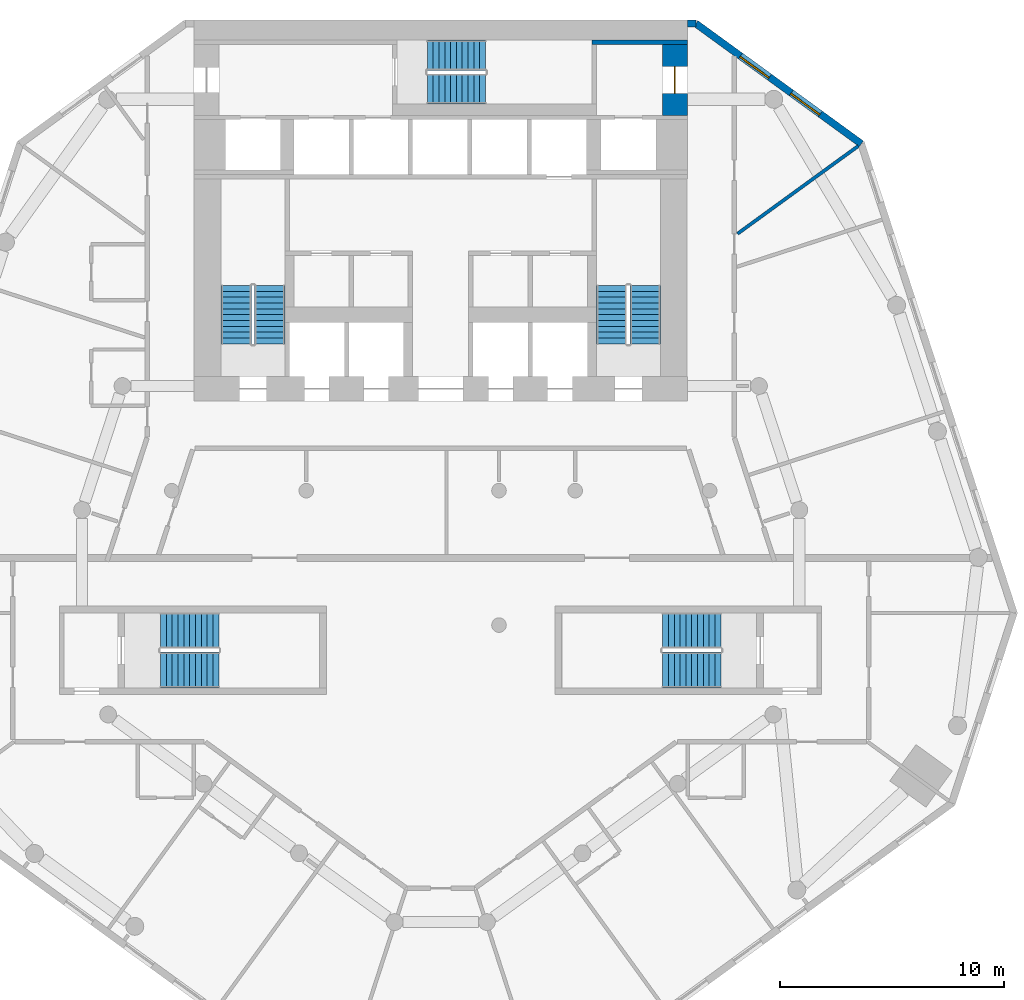
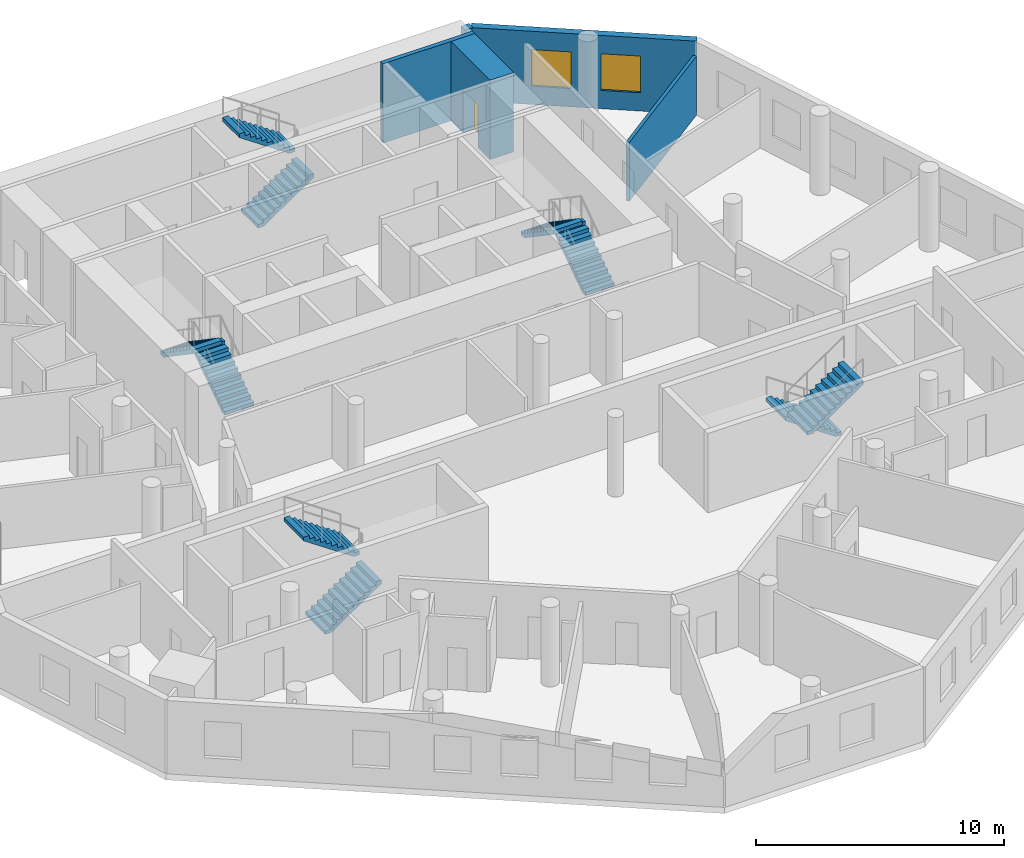
# One storey, part 7 of 9: 10 stair flights, 5 walls, 2 windows, 1 door, 3 openings, 5 elements without a shape of their own.
"""IFC4 building model written with IfcOpenShell, lengths in metres."""

from ifc_helpers import new_model, si_unit, direction, frame, frame_2d, origin, place, context, subcontext, project, spatial, polyline, rectangle, outline, extrude, material, layer, layer_set, type_object, element, fill, aggregate, save


model = new_model("IFC4")

# Units and contexts
model_context = context("Model", 3, precision=1e-05, world=origin(), true_north=direction((0.0, 1.0)))
body_context = subcontext(model_context, "Body", "Model", "MODEL_VIEW")
ifc_project = project(units=[si_unit("LENGTHUNIT", "METRE"), si_unit("AREAUNIT", "SQUARE_METRE"), si_unit("VOLUMEUNIT", "CUBIC_METRE"), si_unit("PLANEANGLEUNIT", "RADIAN"), si_unit("MASSUNIT", "GRAM", prefix="KILO")], contexts=[model_context])

# Site, building, storey
site_placement = place(None, origin())
site = spatial("IfcSite", under=ifc_project, at=site_placement, CompositionType="ELEMENT")
building_placement = place(site_placement, origin())
building = spatial("IfcBuilding", under=site, at=building_placement, Name="White Candle Pilgrim Tower", CompositionType="ELEMENT")
storey_placement = place(building_placement, frame((0.0, 0.0, 122.0)))
storey = spatial("IfcBuildingStorey", under=building, at=storey_placement, Name="L27", CompositionType="ELEMENT", Elevation=122.0)

# Wall, opening, door
ifc_material_1 = material(Name="Concrete C60/75", Category="concrete")
ifc_layer_1 = layer(ifc_material_1, 1.10009765625)
ifc_layer_set_1 = layer_set([ifc_layer_1], Name="Core wall 1100 mm Concrete C60/75")
wall_type_1 = type_object("IfcWallType", Name="Core wall 1100 mm Concrete C60/75", PredefinedType="SHEAR", material=ifc_layer_set_1)
wall_1_placement = place(storey_placement, frame((80.449951171875, 83.75, 0.0), z_axis=(0.0, 0.0, 1.0), x_axis=(0.0, 1.0, 0.0)))
wall_1 = element("IfcWall", 1, at=wall_1_placement, inside=storey, type_object=wall_type_1, Name="WL-L27-C46", PredefinedType="SHEAR", context=body_context, shape_type="SweptSolid", body=[
    extrude(rectangle(XDim=3.14990234375, YDim=1.10009765625, at=frame_2d((1.574951171875, 0.0))), origin(), (0.0, 0.0, 1.0), 3.89990234375),
])
opening_1_placement = place(wall_1_placement, frame((0.97509765625, 0.0, 0.0)))
opening_1 = element("IfcOpeningElement", 2, at=opening_1_placement, cuts=wall_1, Name="Opening T08-006", PredefinedType="OPENING", context=body_context, shape_type="SweptSolid", body=[
    extrude(rectangle(XDim=1.199951171875, YDim=2.10009765625, at=frame_2d((0.60009765625, 1.050048828125))), frame((0.0, 0.56005859375, 0.0), z_axis=(0.0, -1.0, 0.0), x_axis=(1.0, 0.0, 0.0)), (0.0, 0.0, 1.0), 1.1201171875),
])
ifc_material_2 = material(Name="Steel door leaf", Category="steel")
door_type = type_object("IfcDoorType", Name="Fire door 1200 x 2100 EI 30", OperationType="NOTDEFINED", PredefinedType="DOOR", material=ifc_material_2)
door_placement = place(opening_1_placement, origin())
door = element("IfcDoor", 3, at=door_placement, inside=storey, type_object=door_type, Name="Door T08-006", OperationType="SINGLE_SWING_RIGHT", OverallHeight=2.10009765625, OverallWidth=1.199951171875, PredefinedType="DOOR", context=body_context, shape_type="SweptSolid", body=[
    extrude(rectangle(XDim=1.199951171875, YDim=2.10009765625, at=frame_2d((0.60009765625, 1.050048828125))), frame((0.0, 0.02490234375, 0.0), z_axis=(0.0, -1.0, 0.0), x_axis=(1.0, 0.0, 0.0)), (0.0, 0.0, 1.0), 0.050048828125),
])
fill(opening_1, door)

# Wall, openings, windows
ifc_material_3 = material(Name="Precast concrete C40/50", Category="concrete")
ifc_layer_2 = layer(ifc_material_3, 0.320068359375)
ifc_layer_set_2 = layer_set([ifc_layer_2], Name="Facade wall EW1 precast concrete C40/50 pier wall with timber-lined reveals")
wall_type_2 = type_object("IfcWallType", Name="Facade wall EW1 precast concrete C40/50 pier wall with timber-lined reveals", PredefinedType="SOLIDWALL", material=ifc_layer_set_2)
wall_2_placement = place(storey_placement, frame((88.766845703125, 82.476806640625, 0.0), z_axis=(0.0, 0.0, 1.0), x_axis=(-0.809013684675, 0.587789807677, 0.0)))
wall_2 = element("IfcWall", 4, at=wall_2_placement, inside=storey, type_object=wall_type_2, Name="Facade wall L27 NE chamfer", PredefinedType="SOLIDWALL", context=body_context, shape_type="SweptSolid", body=[
    extrude(rectangle(XDim=9.12451171875, YDim=0.320068359375, at=frame_2d((4.562255859375, 0.0))), origin(), (0.0, 0.0, 1.0), 3.60009765625),
])
opening_2_placement = place(wall_2_placement, frame((2.26220703125, 0.0, 0.89990234375)))
opening_2 = element("IfcOpeningElement", 5, at=opening_2_placement, cuts=wall_2, Name="Opening W2", PredefinedType="OPENING", context=body_context, shape_type="SweptSolid", body=[
    extrude(rectangle(XDim=1.60009765625, YDim=1.800048828125, at=frame_2d((0.800048828125, 0.89990234375))), frame((0.0, 0.169921875, 0.0), z_axis=(0.0, -1.0, 0.0), x_axis=(1.0, 0.0, 0.0)), (0.0, 0.0, 1.0), 0.340087890625),
])
opening_3_placement = place(wall_2_placement, frame((5.062255859375, 0.0, 0.89990234375)))
opening_3 = element("IfcOpeningElement", 6, at=opening_3_placement, cuts=wall_2, Name="Opening W2", PredefinedType="OPENING", context=body_context, shape_type="SweptSolid", body=[
    extrude(rectangle(XDim=1.60009765625, YDim=1.800048828125, at=frame_2d((0.800048828125, 0.89990234375))), frame((0.0, 0.169921875, 0.0), z_axis=(0.0, -1.0, 0.0), x_axis=(1.0, 0.0, 0.0)), (0.0, 0.0, 1.0), 0.340087890625),
])
ifc_material_4 = material(Name="Timber frame with triple glazing", Category="wood")
window_type = type_object("IfcWindowType", Name="Window W2 1600x1800 timber frame triple glazing", PartitioningType="SINGLE_PANEL", PredefinedType="WINDOW", material=ifc_material_4)
window_1_placement = place(opening_2_placement, origin())
window_1 = element("IfcWindow", 7, at=window_1_placement, inside=storey, type_object=window_type, Name="Window W2 L27 NE chamfer 1", OverallHeight=1.800048828125, OverallWidth=1.60009765625, PartitioningType="SINGLE_PANEL", PredefinedType="WINDOW", context=body_context, shape_type="SweptSolid", body=[
    extrude(rectangle(XDim=1.60009765625, YDim=1.800048828125, at=frame_2d((0.800048828125, 0.89990234375))), frame((0.0, 0.070068359375, 0.0), z_axis=(0.0, -1.0, 0.0), x_axis=(1.0, 0.0, 0.0)), (0.0, 0.0, 1.0), 0.06005859375),
])
fill(opening_2, window_1)
window_2_placement = place(opening_3_placement, origin())
window_2 = element("IfcWindow", 8, at=window_2_placement, inside=storey, type_object=window_type, Name="Window W2 L27 NE chamfer 2", OverallHeight=1.800048828125, OverallWidth=1.60009765625, PartitioningType="SINGLE_PANEL", PredefinedType="WINDOW", context=body_context, shape_type="SweptSolid", body=[
    extrude(rectangle(XDim=1.60009765625, YDim=1.800048828125, at=frame_2d((0.800048828125, 0.89990234375))), frame((0.0, 0.070068359375, 0.0), z_axis=(0.0, -1.0, 0.0), x_axis=(1.0, 0.0, 0.0)), (0.0, 0.0, 1.0), 0.06005859375),
])
fill(opening_3, window_2)

# Walls
wall_3_placement = place(storey_placement, frame((81.385009765625, 87.840087890625, 0.0), z_axis=(0.0, 0.0, 1.0), x_axis=(-1.0, 0.0, 0.0)))
element("IfcWall", 9, at=wall_3_placement, inside=storey, type_object=wall_type_2, Name="Facade wall L27 N", PredefinedType="SOLIDWALL", context=body_context, shape_type="SweptSolid", body=[
    extrude(rectangle(XDim=0.385009765625, YDim=0.320068359375, at=frame_2d((0.1923828125, 0.0))), origin(), (0.0, 0.0, 1.0), 3.60009765625),
])
ifc_material_5 = material(Name="Gypsum board on steel studs", Category="steel")
ifc_layer_3 = layer(ifc_material_5, 0.14990234375)
ifc_layer_set_3 = layer_set([ifc_layer_3], Name="Partition 150 mm EI 60")
wall_type_3 = type_object("IfcWallType", Name="Partition 150 mm EI 60", PredefinedType="PARTITIONING", material=ifc_layer_set_3)
wall_4_placement = place(storey_placement, frame((88.630859375, 82.3779296875, 0.0), z_axis=(0.0, 0.0, 1.0), x_axis=(-0.809007131432, -0.587798827229, 0.0)))
element("IfcWall", 10, at=wall_4_placement, inside=storey, type_object=wall_type_3, Name="WL-L27-P023", PredefinedType="PARTITIONING", context=body_context, shape_type="SweptSolid", body=[
    extrude(rectangle(XDim=6.658447265625, YDim=0.14990234375, at=frame_2d((3.3291015625, 0.0))), origin(), (0.0, 0.0, 1.0), 2.89990234375),
])
ifc_layer_4 = layer(ifc_material_1, 0.199951171875)
ifc_layer_set_4 = layer_set([ifc_layer_4], Name="Stair shaft wall 200 mm Concrete C60/75")
wall_type_4 = type_object("IfcWallType", Name="Stair shaft wall 200 mm Concrete C60/75", PredefinedType="SHEAR", material=ifc_layer_set_4)
wall_5_placement = place(storey_placement, frame((76.75, 87.0, 0.0), z_axis=(0.0, 0.0, 1.0), x_axis=(1.0, 0.0, 0.0)))
element("IfcWall", 11, at=wall_5_placement, inside=storey, type_object=wall_type_4, Name="WL-L27-C50", PredefinedType="SHEAR", context=body_context, shape_type="SweptSolid", body=[
    extrude(rectangle(XDim=4.25, YDim=0.199951171875, at=frame_2d((2.125, 0.0))), origin(), (0.0, 0.0, 1.0), 3.89990234375),
])

# Stair, stair flights
ifc_material_6 = material(Name="Concrete C40/50", Category="concrete")
stair_type_1 = type_object("IfcStairType", Name="Exit stair 1 flight width 1350 mm", PredefinedType="HALF_TURN_STAIR", material=ifc_material_6)
stair_1_placement = place(storey_placement, origin())
stair_1 = element("IfcStair", 12, at=stair_1_placement, inside=storey, type_object=stair_type_1, Name="L27 stair 1", PredefinedType="NOTDEFINED")
ifc_layer_5 = layer(ifc_material_6, 0.14990234375)
ifc_layer_set_5 = layer_set([ifc_layer_5], Name="Stair flight Concrete C40/50")
stair_flight_type = type_object("IfcStairFlightType", Name="Stair flight Concrete C40/50", PredefinedType="STRAIGHT", material=ifc_layer_set_5)
stair_flight_1_placement = place(storey_placement, frame((62.375, 73.550048828125, 0.0), z_axis=(0.0, 0.0, 1.0), x_axis=(0.0, 1.0, 0.0)))
stair_flight_1 = element("IfcStairFlight", 13, at=stair_flight_1_placement, type_object=stair_flight_type, Name="ST1 flight 1", NumberOfRisers=11, NumberOfTreads=10, PredefinedType="NOTDEFINED", RiserHeight=0.177272727, TreadLength=0.26, context=body_context, shape_type="SweptSolid", body=[
    extrude(outline(polyline([(0.0, 0.0), (0.0, 0.17724609375), (0.260009765625, 0.17724609375), (0.260009765625, 0.3544921875), (0.52001953125, 0.3544921875), (0.52001953125, 0.53173828125), (0.780029296875, 0.53173828125), (0.780029296875, 0.708984375), (1.0400390625, 0.708984375), (1.0400390625, 0.886474609375), (1.300048828125, 0.886474609375), (1.300048828125, 1.063720703125), (1.56005859375, 1.063720703125), (1.56005859375, 1.240966796875), (1.820068359375, 1.240966796875), (1.820068359375, 1.418212890625), (2.080078125, 1.418212890625), (2.080078125, 1.595458984375), (2.340087890625, 1.595458984375), (2.340087890625, 1.772705078125), (2.60009765625, 1.772705078125), (2.60009765625, 1.949951171875), (2.60009765625, 1.59130859375), (0.26611328125, 0.0), (0.0, 0.0)])), frame((0.0, 0.675048828125, 0.0), z_axis=(0.0, -1.0, 0.0), x_axis=(1.0, 0.0, 0.0)), (0.0, 0.0, 1.0), 1.35009765625),
])
stair_flight_2_placement = place(storey_placement, frame((60.875, 76.14990234375, 1.949951171875), z_axis=(0.0, 0.0, 1.0), x_axis=(0.0, -1.0, 0.0)))
stair_flight_2 = element("IfcStairFlight", 14, at=stair_flight_2_placement, type_object=stair_flight_type, Name="ST1 flight 2", NumberOfRisers=11, NumberOfTreads=10, PredefinedType="NOTDEFINED", RiserHeight=0.177272727, TreadLength=0.26, context=body_context, shape_type="SweptSolid", body=[
    extrude(outline(polyline([(0.0, 0.0), (0.0, 0.17724609375), (0.260009765625, 0.17724609375), (0.260009765625, 0.3544921875), (0.52001953125, 0.3544921875), (0.52001953125, 0.53173828125), (0.780029296875, 0.53173828125), (0.780029296875, 0.708984375), (1.0400390625, 0.708984375), (1.0400390625, 0.886474609375), (1.300048828125, 0.886474609375), (1.300048828125, 1.063720703125), (1.56005859375, 1.063720703125), (1.56005859375, 1.240966796875), (1.820068359375, 1.240966796875), (1.820068359375, 1.418212890625), (2.080078125, 1.418212890625), (2.080078125, 1.595458984375), (2.340087890625, 1.595458984375), (2.340087890625, 1.772705078125), (2.60009765625, 1.772705078125), (2.60009765625, 1.949951171875), (2.60009765625, 1.59130859375), (0.26611328125, 0.0), (0.0, 0.0)])), frame((0.0, 0.675048828125, 0.0), z_axis=(0.0, -1.0, 0.0), x_axis=(1.0, 0.0, 0.0)), (0.0, 0.0, 1.0), 1.35009765625),
])
aggregate(stair_1, [stair_flight_1, stair_flight_2])

stair_type_2 = type_object("IfcStairType", Name="Exit stair 2 flight width 1350 mm", PredefinedType="HALF_TURN_STAIR", material=ifc_material_6)
stair_2_placement = place(storey_placement, origin())
stair_2 = element("IfcStair", 15, at=stair_2_placement, inside=storey, type_object=stair_type_2, Name="L27 stair 2", PredefinedType="NOTDEFINED")
stair_flight_3_placement = place(storey_placement, frame((79.125, 73.550048828125, 0.0), z_axis=(0.0, 0.0, 1.0), x_axis=(0.0, 1.0, 0.0)))
stair_flight_3 = element("IfcStairFlight", 16, at=stair_flight_3_placement, type_object=stair_flight_type, Name="ST2 flight 1", NumberOfRisers=11, NumberOfTreads=10, PredefinedType="NOTDEFINED", RiserHeight=0.177272727, TreadLength=0.26, context=body_context, shape_type="SweptSolid", body=[
    extrude(outline(polyline([(0.0, 0.0), (0.0, 0.17724609375), (0.260009765625, 0.17724609375), (0.260009765625, 0.3544921875), (0.52001953125, 0.3544921875), (0.52001953125, 0.53173828125), (0.780029296875, 0.53173828125), (0.780029296875, 0.708984375), (1.0400390625, 0.708984375), (1.0400390625, 0.886474609375), (1.300048828125, 0.886474609375), (1.300048828125, 1.063720703125), (1.56005859375, 1.063720703125), (1.56005859375, 1.240966796875), (1.820068359375, 1.240966796875), (1.820068359375, 1.418212890625), (2.080078125, 1.418212890625), (2.080078125, 1.595458984375), (2.340087890625, 1.595458984375), (2.340087890625, 1.772705078125), (2.60009765625, 1.772705078125), (2.60009765625, 1.949951171875), (2.60009765625, 1.59130859375), (0.26611328125, 0.0), (0.0, 0.0)])), frame((0.0, 0.675048828125, 0.0), z_axis=(0.0, -1.0, 0.0), x_axis=(1.0, 0.0, 0.0)), (0.0, 0.0, 1.0), 1.35009765625),
])
stair_flight_4_placement = place(storey_placement, frame((77.625, 76.14990234375, 1.949951171875), z_axis=(0.0, 0.0, 1.0), x_axis=(0.0, -1.0, 0.0)))
stair_flight_4 = element("IfcStairFlight", 17, at=stair_flight_4_placement, type_object=stair_flight_type, Name="ST2 flight 2", NumberOfRisers=11, NumberOfTreads=10, PredefinedType="NOTDEFINED", RiserHeight=0.177272727, TreadLength=0.26, context=body_context, shape_type="SweptSolid", body=[
    extrude(outline(polyline([(0.0, 0.0), (0.0, 0.17724609375), (0.260009765625, 0.17724609375), (0.260009765625, 0.3544921875), (0.52001953125, 0.3544921875), (0.52001953125, 0.53173828125), (0.780029296875, 0.53173828125), (0.780029296875, 0.708984375), (1.0400390625, 0.708984375), (1.0400390625, 0.886474609375), (1.300048828125, 0.886474609375), (1.300048828125, 1.063720703125), (1.56005859375, 1.063720703125), (1.56005859375, 1.240966796875), (1.820068359375, 1.240966796875), (1.820068359375, 1.418212890625), (2.080078125, 1.418212890625), (2.080078125, 1.595458984375), (2.340087890625, 1.595458984375), (2.340087890625, 1.772705078125), (2.60009765625, 1.772705078125), (2.60009765625, 1.949951171875), (2.60009765625, 1.59130859375), (0.26611328125, 0.0), (0.0, 0.0)])), frame((0.0, 0.675048828125, 0.0), z_axis=(0.0, -1.0, 0.0), x_axis=(1.0, 0.0, 0.0)), (0.0, 0.0, 1.0), 1.35009765625),
])
aggregate(stair_2, [stair_flight_3, stair_flight_4])

stair_type_3 = type_object("IfcStairType", Name="Exit stair 3 flight width 1350 mm", PredefinedType="HALF_TURN_STAIR", material=ifc_material_6)
stair_3_placement = place(storey_placement, origin())
stair_3 = element("IfcStair", 18, at=stair_3_placement, inside=storey, type_object=stair_type_3, Name="L27 stair 3", PredefinedType="NOTDEFINED")
stair_flight_5_placement = place(storey_placement, frame((69.39990234375, 84.925048828125, 0.0), z_axis=(0.0, 0.0, 1.0), x_axis=(1.0, 0.0, 0.0)))
stair_flight_5 = element("IfcStairFlight", 19, at=stair_flight_5_placement, type_object=stair_flight_type, Name="ST3 flight 1", NumberOfRisers=11, NumberOfTreads=10, PredefinedType="NOTDEFINED", RiserHeight=0.177272727, TreadLength=0.26, context=body_context, shape_type="SweptSolid", body=[
    extrude(outline(polyline([(0.0, 0.0), (0.0, 0.17724609375), (0.260009765625, 0.17724609375), (0.260009765625, 0.3544921875), (0.52001953125, 0.3544921875), (0.52001953125, 0.53173828125), (0.780029296875, 0.53173828125), (0.780029296875, 0.708984375), (1.0400390625, 0.708984375), (1.0400390625, 0.886474609375), (1.300048828125, 0.886474609375), (1.300048828125, 1.063720703125), (1.56005859375, 1.063720703125), (1.56005859375, 1.240966796875), (1.820068359375, 1.240966796875), (1.820068359375, 1.418212890625), (2.080078125, 1.418212890625), (2.080078125, 1.595458984375), (2.340087890625, 1.595458984375), (2.340087890625, 1.772705078125), (2.60009765625, 1.772705078125), (2.60009765625, 1.949951171875), (2.60009765625, 1.59130859375), (0.26611328125, 0.0), (0.0, 0.0)])), frame((0.0, 0.675048828125, 0.0), z_axis=(0.0, -1.0, 0.0), x_axis=(1.0, 0.0, 0.0)), (0.0, 0.0, 1.0), 1.35009765625),
])
stair_flight_6_placement = place(storey_placement, frame((72.0, 86.425048828125, 1.949951171875), z_axis=(0.0, 0.0, 1.0), x_axis=(-1.0, 0.0, 0.0)))
stair_flight_6 = element("IfcStairFlight", 20, at=stair_flight_6_placement, type_object=stair_flight_type, Name="ST3 flight 2", NumberOfRisers=11, NumberOfTreads=10, PredefinedType="NOTDEFINED", RiserHeight=0.177272727, TreadLength=0.26, context=body_context, shape_type="SweptSolid", body=[
    extrude(outline(polyline([(0.0, 0.0), (0.0, 0.17724609375), (0.260009765625, 0.17724609375), (0.260009765625, 0.3544921875), (0.52001953125, 0.3544921875), (0.52001953125, 0.53173828125), (0.780029296875, 0.53173828125), (0.780029296875, 0.708984375), (1.0400390625, 0.708984375), (1.0400390625, 0.886474609375), (1.300048828125, 0.886474609375), (1.300048828125, 1.063720703125), (1.56005859375, 1.063720703125), (1.56005859375, 1.240966796875), (1.820068359375, 1.240966796875), (1.820068359375, 1.418212890625), (2.080078125, 1.418212890625), (2.080078125, 1.595458984375), (2.340087890625, 1.595458984375), (2.340087890625, 1.772705078125), (2.60009765625, 1.772705078125), (2.60009765625, 1.949951171875), (2.60009765625, 1.59130859375), (0.26611328125, 0.0), (0.0, 0.0)])), frame((0.0, 0.675048828125, 0.0), z_axis=(0.0, -1.0, 0.0), x_axis=(1.0, 0.0, 0.0)), (0.0, 0.0, 1.0), 1.35009765625),
])
aggregate(stair_3, [stair_flight_5, stair_flight_6])

stair_type_4 = type_object("IfcStairType", Name="Exit stair 4 flight width 1600 mm", PredefinedType="HALF_TURN_STAIR", material=ifc_material_6)
stair_4_placement = place(storey_placement, origin())
stair_4 = element("IfcStair", 21, at=stair_4_placement, inside=storey, type_object=stair_type_4, Name="L27 stair 4", PredefinedType="NOTDEFINED")
stair_flight_7_placement = place(storey_placement, frame((82.5, 60.75, 0.0), z_axis=(0.0, 0.0, 1.0), x_axis=(-1.0, 0.0, 0.0)))
stair_flight_7 = element("IfcStairFlight", 22, at=stair_flight_7_placement, type_object=stair_flight_type, Name="ST4 flight 1", NumberOfRisers=11, NumberOfTreads=10, PredefinedType="NOTDEFINED", RiserHeight=0.177272727, TreadLength=0.26, context=body_context, shape_type="SweptSolid", body=[
    extrude(outline(polyline([(0.0, 0.0), (0.0, 0.17724609375), (0.260009765625, 0.17724609375), (0.260009765625, 0.3544921875), (0.52001953125, 0.3544921875), (0.52001953125, 0.53173828125), (0.780029296875, 0.53173828125), (0.780029296875, 0.708984375), (1.0400390625, 0.708984375), (1.0400390625, 0.886474609375), (1.300048828125, 0.886474609375), (1.300048828125, 1.063720703125), (1.56005859375, 1.063720703125), (1.56005859375, 1.240966796875), (1.820068359375, 1.240966796875), (1.820068359375, 1.418212890625), (2.080078125, 1.418212890625), (2.080078125, 1.595458984375), (2.340087890625, 1.595458984375), (2.340087890625, 1.772705078125), (2.60009765625, 1.772705078125), (2.60009765625, 1.949951171875), (2.60009765625, 1.59130859375), (0.26611328125, 0.0), (0.0, 0.0)])), frame((0.0, 0.800048828125, 0.0), z_axis=(0.0, -1.0, 0.0), x_axis=(1.0, 0.0, 0.0)), (0.0, 0.0, 1.0), 1.60009765625),
])
stair_flight_8_placement = place(storey_placement, frame((79.89990234375, 59.0, 1.949951171875), z_axis=(0.0, 0.0, 1.0), x_axis=(1.0, 0.0, 0.0)))
stair_flight_8 = element("IfcStairFlight", 23, at=stair_flight_8_placement, type_object=stair_flight_type, Name="ST4 flight 2", NumberOfRisers=11, NumberOfTreads=10, PredefinedType="NOTDEFINED", RiserHeight=0.177272727, TreadLength=0.26, context=body_context, shape_type="SweptSolid", body=[
    extrude(outline(polyline([(0.0, 0.0), (0.0, 0.17724609375), (0.260009765625, 0.17724609375), (0.260009765625, 0.3544921875), (0.52001953125, 0.3544921875), (0.52001953125, 0.53173828125), (0.780029296875, 0.53173828125), (0.780029296875, 0.708984375), (1.0400390625, 0.708984375), (1.0400390625, 0.886474609375), (1.300048828125, 0.886474609375), (1.300048828125, 1.063720703125), (1.56005859375, 1.063720703125), (1.56005859375, 1.240966796875), (1.820068359375, 1.240966796875), (1.820068359375, 1.418212890625), (2.080078125, 1.418212890625), (2.080078125, 1.595458984375), (2.340087890625, 1.595458984375), (2.340087890625, 1.772705078125), (2.60009765625, 1.772705078125), (2.60009765625, 1.949951171875), (2.60009765625, 1.59130859375), (0.26611328125, 0.0), (0.0, 0.0)])), frame((0.0, 0.800048828125, 0.0), z_axis=(0.0, -1.0, 0.0), x_axis=(1.0, 0.0, 0.0)), (0.0, 0.0, 1.0), 1.60009765625),
])
aggregate(stair_4, [stair_flight_7, stair_flight_8])

stair_type_5 = type_object("IfcStairType", Name="Exit stair 5 flight width 1600 mm", PredefinedType="HALF_TURN_STAIR", material=ifc_material_6)
stair_5_placement = place(storey_placement, origin())
stair_5 = element("IfcStair", 24, at=stair_5_placement, inside=storey, type_object=stair_type_5, Name="L27 stair 5", PredefinedType="NOTDEFINED")
stair_flight_9_placement = place(storey_placement, frame((57.5, 59.0, 0.0), z_axis=(0.0, 0.0, 1.0), x_axis=(1.0, 0.0, 0.0)))
stair_flight_9 = element("IfcStairFlight", 25, at=stair_flight_9_placement, type_object=stair_flight_type, Name="ST5 flight 1", NumberOfRisers=11, NumberOfTreads=10, PredefinedType="NOTDEFINED", RiserHeight=0.177272727, TreadLength=0.26, context=body_context, shape_type="SweptSolid", body=[
    extrude(outline(polyline([(0.0, 0.0), (0.0, 0.17724609375), (0.260009765625, 0.17724609375), (0.260009765625, 0.3544921875), (0.52001953125, 0.3544921875), (0.52001953125, 0.53173828125), (0.780029296875, 0.53173828125), (0.780029296875, 0.708984375), (1.0400390625, 0.708984375), (1.0400390625, 0.886474609375), (1.300048828125, 0.886474609375), (1.300048828125, 1.063720703125), (1.56005859375, 1.063720703125), (1.56005859375, 1.240966796875), (1.820068359375, 1.240966796875), (1.820068359375, 1.418212890625), (2.080078125, 1.418212890625), (2.080078125, 1.595458984375), (2.340087890625, 1.595458984375), (2.340087890625, 1.772705078125), (2.60009765625, 1.772705078125), (2.60009765625, 1.949951171875), (2.60009765625, 1.59130859375), (0.26611328125, 0.0), (0.0, 0.0)])), frame((0.0, 0.800048828125, 0.0), z_axis=(0.0, -1.0, 0.0), x_axis=(1.0, 0.0, 0.0)), (0.0, 0.0, 1.0), 1.60009765625),
])
stair_flight_10_placement = place(storey_placement, frame((60.10009765625, 60.75, 1.949951171875), z_axis=(0.0, 0.0, 1.0), x_axis=(-1.0, 0.0, 0.0)))
stair_flight_10 = element("IfcStairFlight", 26, at=stair_flight_10_placement, type_object=stair_flight_type, Name="ST5 flight 2", NumberOfRisers=11, NumberOfTreads=10, PredefinedType="NOTDEFINED", RiserHeight=0.177272727, TreadLength=0.26, context=body_context, shape_type="SweptSolid", body=[
    extrude(outline(polyline([(0.0, 0.0), (0.0, 0.17724609375), (0.260009765625, 0.17724609375), (0.260009765625, 0.3544921875), (0.52001953125, 0.3544921875), (0.52001953125, 0.53173828125), (0.780029296875, 0.53173828125), (0.780029296875, 0.708984375), (1.0400390625, 0.708984375), (1.0400390625, 0.886474609375), (1.300048828125, 0.886474609375), (1.300048828125, 1.063720703125), (1.56005859375, 1.063720703125), (1.56005859375, 1.240966796875), (1.820068359375, 1.240966796875), (1.820068359375, 1.418212890625), (2.080078125, 1.418212890625), (2.080078125, 1.595458984375), (2.340087890625, 1.595458984375), (2.340087890625, 1.772705078125), (2.60009765625, 1.772705078125), (2.60009765625, 1.949951171875), (2.60009765625, 1.59130859375), (0.26611328125, 0.0), (0.0, 0.0)])), frame((0.0, 0.800048828125, 0.0), z_axis=(0.0, -1.0, 0.0), x_axis=(1.0, 0.0, 0.0)), (0.0, 0.0, 1.0), 1.60009765625),
])
aggregate(stair_5, [stair_flight_9, stair_flight_10])

save(model, "model.ifc")
